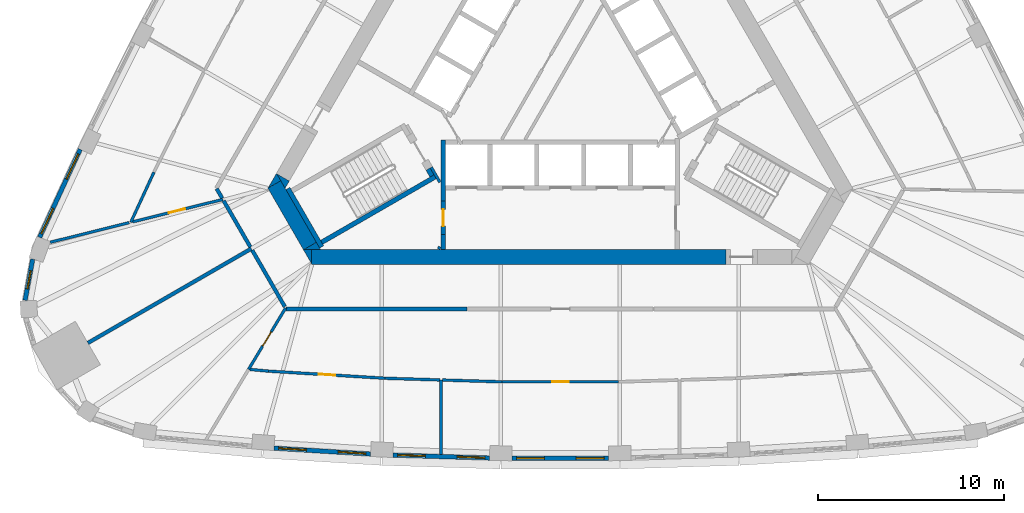
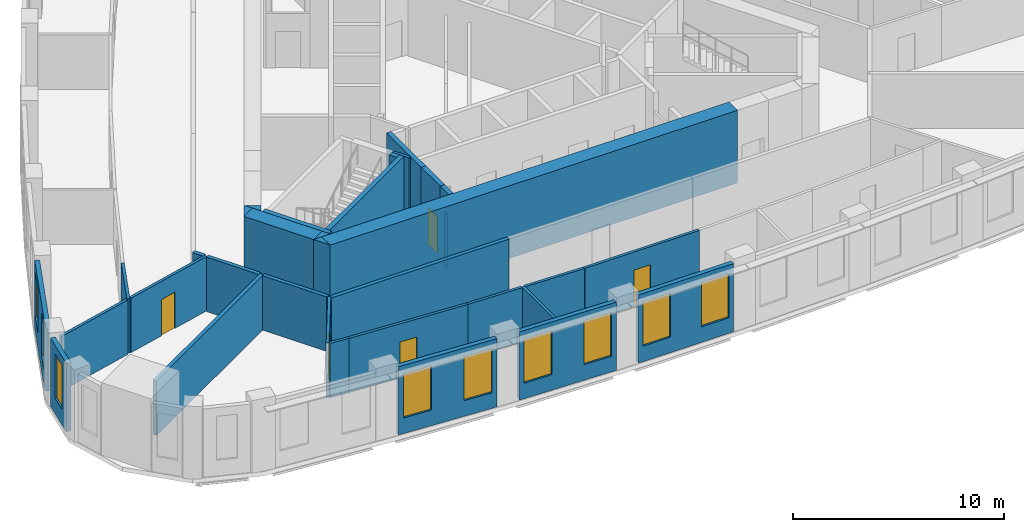
# One storey, part 3 of 10: 34 walls, 9 windows, 5 doors, 14 openings.
"""IFC4 building model written with IfcOpenShell, lengths in metres."""

from ifc_helpers import new_model, si_unit, direction, frame, frame_2d, origin, place, context, subcontext, project, spatial, polyline, rectangle, outline, extrude, material, layer, layer_set, type_object, element, fill, save


model = new_model("IFC4")

# Units and contexts
model_context = context("Model", 3, precision=1e-05, world=origin(), true_north=direction((0.0, 1.0)))
body_context = subcontext(model_context, "Body", "Model", "MODEL_VIEW")
ifc_project = project(units=[si_unit("LENGTHUNIT", "METRE"), si_unit("AREAUNIT", "SQUARE_METRE"), si_unit("VOLUMEUNIT", "CUBIC_METRE"), si_unit("PLANEANGLEUNIT", "RADIAN"), si_unit("MASSUNIT", "GRAM", prefix="KILO")], contexts=[model_context])

# Site, building, storey
site_placement = place(None, origin())
site = spatial("IfcSite", under=ifc_project, at=site_placement, CompositionType="ELEMENT")
building_placement = place(site_placement, origin())
building = spatial("IfcBuilding", under=site, at=building_placement, Name="Mestral Congress Tower", CompositionType="ELEMENT")
storey_placement = place(building_placement, frame((0.0, 0.0, 150.0)))
storey = spatial("IfcBuildingStorey", under=building, at=storey_placement, Name="L35", CompositionType="ELEMENT", Elevation=150.0)

# Walls
ifc_material_1 = material(Name="Fire-rated board partition")
ifc_layer_1 = layer(ifc_material_1, 0.14990234375)
ifc_layer_set_1 = layer_set([ifc_layer_1], Name="Fire-rated board partition")
wall_type_1 = type_object("IfcWallType", Name="Core partition 150", PredefinedType="PARTITIONING", material=ifc_layer_set_1)
wall_1_placement = place(storey_placement, frame((-6.552978515625, -9.6181640625, 0.0), z_axis=(0.0, 0.0, 1.0), x_axis=(0.499915430684, 0.866074224396, 0.0)))
element("IfcWall", 1, at=wall_1_placement, inside=storey, type_object=wall_type_1, Name="L35 core wall", PredefinedType="PARTITIONING", context=body_context, shape_type="SweptSolid", body=[
    extrude(rectangle(XDim=0.14599609375, YDim=0.14990234375, at=frame_2d((0.072998046875, 0.0))), origin(), (0.0, 0.0, 1.0), 3.14990234375),
])
ifc_material_2 = material(Name="Concrete C60/75", Category="concrete")
ifc_layer_2 = layer(ifc_material_2, 0.800048828125)
ifc_layer_set_2 = layer_set([ifc_layer_2], Name="Concrete C60/75")
wall_type_2 = type_object("IfcWallType", Name="Core wall RC 800", PredefinedType="SOLIDWALL", material=ifc_layer_set_2)
wall_2_placement = place(storey_placement, frame((-13.377685546875, -10.050048828125, 0.0), z_axis=(0.0, 0.0, 1.0), x_axis=(1.0, 0.0, 0.0)))
element("IfcWall", 2, at=wall_2_placement, inside=storey, type_object=wall_type_2, Name="L35 core wall", PredefinedType="SOLIDWALL", context=body_context, shape_type="SweptSolid", body=[
    extrude(rectangle(XDim=22.281982421875, YDim=0.800048828125, at=frame_2d((11.14111328125, 0.0))), origin(), (0.0, 0.0, 1.0), 4.199951171875),
])
placement = place(storey_placement, origin())
element("IfcWall", 3, at=placement, inside=storey, type_object=wall_type_2, Name="L35 core wall", PredefinedType="SOLIDWALL", context=body_context, shape_type="SweptSolid", body=[
    extrude(outline(polyline([(-13.82763671875, -9.64990234375), (-13.379638671875, -9.64990234375), (-13.379638671875, -10.42578125), (-13.82763671875, -9.64990234375)])), origin(), (0.0, 0.0, 1.0), 4.199951171875),
])
wall_4_placement = place(storey_placement, frame((-15.38720703125, -6.148193359375, 0.0), z_axis=(0.0, 0.0, 1.0), x_axis=(0.499984020225, -0.866034629516, 0.0)))
element("IfcWall", 4, at=wall_4_placement, inside=storey, type_object=wall_type_2, Name="L35 core wall", PredefinedType="SOLIDWALL", context=body_context, shape_type="SweptSolid", body=[
    extrude(rectangle(XDim=3.824462890625, YDim=0.800048828125, at=frame_2d((1.912109375, 0.0))), origin(), (0.0, 0.0, 1.0), 4.199951171875),
])
element("IfcWall", 5, at=placement, inside=storey, type_object=wall_type_2, Name="L35 core wall", PredefinedType="SOLIDWALL", context=body_context, shape_type="SweptSolid", body=[
    extrude(outline(polyline([(-15.0419921875, -5.946533203125), (-15.728759765625, -6.343017578125), (-15.27099609375, -5.5498046875), (-15.0419921875, -5.946533203125)])), origin(), (0.0, 0.0, 1.0), 4.199951171875),
])
element("IfcWall", 6, at=placement, inside=storey, type_object=wall_type_2, Name="L35 core wall", PredefinedType="SOLIDWALL", context=body_context, shape_type="SweptSolid", body=[
    extrude(outline(polyline([(-12.90380859375, -9.64990234375), (-13.7998046875, -9.64990234375), (-13.127685546875, -9.261962890625), (-12.90380859375, -9.64990234375)])), origin(), (0.0, 0.0, 1.0), 4.199951171875),
])
element("IfcWall", 7, at=placement, inside=storey, type_object=wall_type_2, Name="L35 core wall", PredefinedType="SOLIDWALL", context=body_context, shape_type="SweptSolid", body=[
    extrude(outline(polyline([(-14.80908203125, -6.35009765625), (-15.2568359375, -5.57421875), (-14.5849609375, -5.9619140625), (-14.80908203125, -6.35009765625)])), origin(), (0.0, 0.0, 1.0), 4.199951171875),
])

# Wall, openings, windows
ifc_material_3 = material(Name="Precast concrete C40/50 with limestone facing", Category="masonry")
ifc_layer_3 = layer(ifc_material_3, 0.239990234375)
ifc_layer_set_3 = layer_set([ifc_layer_3], Name="Precast concrete C40/50 with limestone facing")
wall_type_3 = type_object("IfcWallType", Name="Facade stone wall 240", PredefinedType="SOLIDWALL", material=ifc_layer_set_3)
wall_8_placement = place(storey_placement, frame((-15.404541015625, -20.33837890625, 0.0), z_axis=(0.0, 0.0, 1.0), x_axis=(0.998135294646, -0.061040425794, 0.0)))
wall_8 = element("IfcWall", 8, at=wall_8_placement, inside=storey, type_object=wall_type_3, Name="Facade wall F0-01", PredefinedType="SOLIDWALL", context=body_context, shape_type="SweptSolid", body=[
    extrude(rectangle(XDim=5.20361328125, YDim=0.239990234375, at=frame_2d((2.601806640625, 0.0))), origin(), (0.0, 0.0, 1.0), 3.949951171875),
])
opening_1_placement = place(wall_8_placement, frame((0.248291015625, 0.0, 0.89990234375)))
opening_1 = element("IfcOpeningElement", 9, at=opening_1_placement, cuts=wall_8, Name="Opening W4", PredefinedType="OPENING", context=body_context, shape_type="SweptSolid", body=[
    extrude(rectangle(XDim=1.5, YDim=2.550048828125, at=frame_2d((0.75, 1.27490234375))), frame((0.0, 0.1298828125, 0.0), z_axis=(0.0, -1.0, 0.0), x_axis=(1.0, 0.0, 0.0)), (0.0, 0.0, 1.0), 0.260009765625),
])
opening_2_placement = place(wall_8_placement, frame((3.455078125, 0.0, 0.89990234375)))
opening_2 = element("IfcOpeningElement", 10, at=opening_2_placement, cuts=wall_8, Name="Opening W4", PredefinedType="OPENING", context=body_context, shape_type="SweptSolid", body=[
    extrude(rectangle(XDim=1.5, YDim=2.550048828125, at=frame_2d((0.75, 1.27490234375))), frame((0.0, 0.1298828125, 0.0), z_axis=(0.0, -1.0, 0.0), x_axis=(1.0, 0.0, 0.0)), (0.0, 0.0, 1.0), 0.260009765625),
])
ifc_material_4 = material(Name="Clear low-emissivity double glazing", Category="glass")
window_type_1 = type_object("IfcWindowType", Name="Facade punched window 1500 x 2550 sill 900", PartitioningType="SINGLE_PANEL", PredefinedType="WINDOW", material=ifc_material_4)
window_1_placement = place(opening_1_placement, origin())
window_1 = element("IfcWindow", 11, at=window_1_placement, inside=storey, type_object=window_type_1, Name="Window F0-01a", OverallHeight=2.550048828125, OverallWidth=1.5, PartitioningType="SINGLE_PANEL", PredefinedType="WINDOW", context=body_context, shape_type="SweptSolid", body=[
    extrude(rectangle(XDim=1.5, YDim=2.550048828125, at=frame_2d((0.75, 1.27490234375))), frame((0.0, 0.0400390625, 0.0), z_axis=(0.0, -1.0, 0.0), x_axis=(1.0, 0.0, 0.0)), (0.0, 0.0, 1.0), 0.06005859375),
])
fill(opening_1, window_1)
window_2_placement = place(opening_2_placement, origin())
window_2 = element("IfcWindow", 12, at=window_2_placement, inside=storey, type_object=window_type_1, Name="Window F0-01b", OverallHeight=2.550048828125, OverallWidth=1.5, PartitioningType="SINGLE_PANEL", PredefinedType="WINDOW", context=body_context, shape_type="SweptSolid", body=[
    extrude(rectangle(XDim=1.5, YDim=2.550048828125, at=frame_2d((0.75, 1.27490234375))), frame((0.0, 0.0400390625, 0.0), z_axis=(0.0, -1.0, 0.0), x_axis=(1.0, 0.0, 0.0)), (0.0, 0.0, 1.0), 0.06005859375),
])
fill(opening_2, window_2)

wall_9_placement = place(storey_placement, frame((-9.00732421875, -20.7109375, 0.0), z_axis=(0.0, 0.0, 1.0), x_axis=(0.999533441983, -0.030543384845, 0.0)))
wall_9 = element("IfcWall", 13, at=wall_9_placement, inside=storey, type_object=wall_type_3, Name="Facade wall F0-02", PredefinedType="SOLIDWALL", context=body_context, shape_type="SweptSolid", body=[
    extrude(rectangle(XDim=5.20361328125, YDim=0.239990234375, at=frame_2d((2.601806640625, 0.0))), origin(), (0.0, 0.0, 1.0), 3.949951171875),
])
opening_3_placement = place(wall_9_placement, frame((0.248291015625, 0.0, 0.89990234375)))
opening_3 = element("IfcOpeningElement", 14, at=opening_3_placement, cuts=wall_9, Name="Opening W4", PredefinedType="OPENING", context=body_context, shape_type="SweptSolid", body=[
    extrude(rectangle(XDim=1.5, YDim=2.550048828125, at=frame_2d((0.75, 1.27490234375))), frame((0.0, 0.1298828125, 0.0), z_axis=(0.0, -1.0, 0.0), x_axis=(1.0, 0.0, 0.0)), (0.0, 0.0, 1.0), 0.260009765625),
])
opening_4_placement = place(wall_9_placement, frame((3.455078125, 0.0, 0.89990234375)))
opening_4 = element("IfcOpeningElement", 15, at=opening_4_placement, cuts=wall_9, Name="Opening W4", PredefinedType="OPENING", context=body_context, shape_type="SweptSolid", body=[
    extrude(rectangle(XDim=1.5, YDim=2.550048828125, at=frame_2d((0.75, 1.27490234375))), frame((0.0, 0.1298828125, 0.0), z_axis=(0.0, -1.0, 0.0), x_axis=(1.0, 0.0, 0.0)), (0.0, 0.0, 1.0), 0.260009765625),
])
window_3_placement = place(opening_3_placement, origin())
window_3 = element("IfcWindow", 16, at=window_3_placement, inside=storey, type_object=window_type_1, Name="Window F0-02a", OverallHeight=2.550048828125, OverallWidth=1.5, PartitioningType="SINGLE_PANEL", PredefinedType="WINDOW", context=body_context, shape_type="SweptSolid", body=[
    extrude(rectangle(XDim=1.5, YDim=2.550048828125, at=frame_2d((0.75, 1.27490234375))), frame((0.0, 0.0400390625, 0.0), z_axis=(0.0, -1.0, 0.0), x_axis=(1.0, 0.0, 0.0)), (0.0, 0.0, 1.0), 0.06005859375),
])
fill(opening_3, window_3)
window_4_placement = place(opening_4_placement, origin())
window_4 = element("IfcWindow", 17, at=window_4_placement, inside=storey, type_object=window_type_1, Name="Window F0-02b", OverallHeight=2.550048828125, OverallWidth=1.5, PartitioningType="SINGLE_PANEL", PredefinedType="WINDOW", context=body_context, shape_type="SweptSolid", body=[
    extrude(rectangle(XDim=1.5, YDim=2.550048828125, at=frame_2d((0.75, 1.27490234375))), frame((0.0, 0.0400390625, 0.0), z_axis=(0.0, -1.0, 0.0), x_axis=(1.0, 0.0, 0.0)), (0.0, 0.0, 1.0), 0.06005859375),
])
fill(opening_4, window_4)

wall_10_placement = place(storey_placement, frame((-2.601806640625, -20.88818359375, 0.0), z_axis=(0.0, 0.0, 1.0), x_axis=(1.0, 0.0, 0.0)))
wall_10 = element("IfcWall", 18, at=wall_10_placement, inside=storey, type_object=wall_type_3, Name="Facade wall F0-03", PredefinedType="SOLIDWALL", context=body_context, shape_type="SweptSolid", body=[
    extrude(rectangle(XDim=5.20361328125, YDim=0.239990234375, at=frame_2d((2.601806640625, 0.0))), origin(), (0.0, 0.0, 1.0), 3.949951171875),
])
opening_5_placement = place(wall_10_placement, frame((0.248291015625, 0.0, 0.89990234375)))
opening_5 = element("IfcOpeningElement", 19, at=opening_5_placement, cuts=wall_10, Name="Opening W4", PredefinedType="OPENING", context=body_context, shape_type="SweptSolid", body=[
    extrude(rectangle(XDim=1.5, YDim=2.550048828125, at=frame_2d((0.75, 1.27490234375))), frame((0.0, 0.1298828125, 0.0), z_axis=(0.0, -1.0, 0.0), x_axis=(1.0, 0.0, 0.0)), (0.0, 0.0, 1.0), 0.260009765625),
])
opening_6_placement = place(wall_10_placement, frame((3.455078125, 0.0, 0.89990234375)))
opening_6 = element("IfcOpeningElement", 20, at=opening_6_placement, cuts=wall_10, Name="Opening W4", PredefinedType="OPENING", context=body_context, shape_type="SweptSolid", body=[
    extrude(rectangle(XDim=1.5, YDim=2.550048828125, at=frame_2d((0.75, 1.27490234375))), frame((0.0, 0.1298828125, 0.0), z_axis=(0.0, -1.0, 0.0), x_axis=(1.0, 0.0, 0.0)), (0.0, 0.0, 1.0), 0.260009765625),
])
window_5_placement = place(opening_5_placement, origin())
window_5 = element("IfcWindow", 21, at=window_5_placement, inside=storey, type_object=window_type_1, Name="Window F0-03a", OverallHeight=2.550048828125, OverallWidth=1.5, PartitioningType="SINGLE_PANEL", PredefinedType="WINDOW", context=body_context, shape_type="SweptSolid", body=[
    extrude(rectangle(XDim=1.5, YDim=2.550048828125, at=frame_2d((0.75, 1.27490234375))), frame((0.0, 0.0400390625, 0.0), z_axis=(0.0, -1.0, 0.0), x_axis=(1.0, 0.0, 0.0)), (0.0, 0.0, 1.0), 0.06005859375),
])
fill(opening_5, window_5)
window_6_placement = place(opening_6_placement, origin())
window_6 = element("IfcWindow", 22, at=window_6_placement, inside=storey, type_object=window_type_1, Name="Window F0-03b", OverallHeight=2.550048828125, OverallWidth=1.5, PartitioningType="SINGLE_PANEL", PredefinedType="WINDOW", context=body_context, shape_type="SweptSolid", body=[
    extrude(rectangle(XDim=1.5, YDim=2.550048828125, at=frame_2d((0.75, 1.27490234375))), frame((0.0, 0.0400390625, 0.0), z_axis=(0.0, -1.0, 0.0), x_axis=(1.0, 0.0, 0.0)), (0.0, 0.0, 1.0), 0.06005859375),
])
fill(opening_6, window_6)

wall_11_placement = place(storey_placement, frame((-25.8369140625, -4.2578125, 0.0), z_axis=(0.0, 0.0, 1.0), x_axis=(-0.418722559465, -0.908114209885, 0.0)))
wall_11 = element("IfcWall", 23, at=wall_11_placement, inside=storey, type_object=wall_type_3, Name="Facade wall F2-06", PredefinedType="SOLIDWALL", context=body_context, shape_type="SweptSolid", body=[
    extrude(rectangle(XDim=5.213134765625, YDim=0.239990234375, at=frame_2d((2.6064453125, 0.0))), origin(), (0.0, 0.0, 1.0), 3.949951171875),
])
opening_7_placement = place(wall_11_placement, frame((0.2607421875, 0.0, 0.89990234375)))
opening_7 = element("IfcOpeningElement", 24, at=opening_7_placement, cuts=wall_11, Name="Opening W4", PredefinedType="OPENING", context=body_context, shape_type="SweptSolid", body=[
    extrude(rectangle(XDim=1.5, YDim=2.550048828125, at=frame_2d((0.75, 1.27490234375))), frame((0.0, 0.1298828125, 0.0), z_axis=(0.0, -1.0, 0.0), x_axis=(1.0, 0.0, 0.0)), (0.0, 0.0, 1.0), 0.260009765625),
])
opening_8_placement = place(wall_11_placement, frame((3.492431640625, 0.0, 0.89990234375)))
opening_8 = element("IfcOpeningElement", 25, at=opening_8_placement, cuts=wall_11, Name="Opening W4", PredefinedType="OPENING", context=body_context, shape_type="SweptSolid", body=[
    extrude(rectangle(XDim=1.5, YDim=2.550048828125, at=frame_2d((0.75, 1.27490234375))), frame((0.0, 0.1298828125, 0.0), z_axis=(0.0, -1.0, 0.0), x_axis=(1.0, 0.0, 0.0)), (0.0, 0.0, 1.0), 0.260009765625),
])
window_7_placement = place(opening_7_placement, origin())
window_7 = element("IfcWindow", 26, at=window_7_placement, inside=storey, type_object=window_type_1, Name="Window F2-06a", OverallHeight=2.550048828125, OverallWidth=1.5, PartitioningType="SINGLE_PANEL", PredefinedType="WINDOW", context=body_context, shape_type="SweptSolid", body=[
    extrude(rectangle(XDim=1.5, YDim=2.550048828125, at=frame_2d((0.75, 1.27490234375))), frame((0.0, 0.0400390625, 0.0), z_axis=(0.0, -1.0, 0.0), x_axis=(1.0, 0.0, 0.0)), (0.0, 0.0, 1.0), 0.06005859375),
])
fill(opening_7, window_7)
window_8_placement = place(opening_8_placement, origin())
window_8 = element("IfcWindow", 27, at=window_8_placement, inside=storey, type_object=window_type_1, Name="Window F2-06b", OverallHeight=2.550048828125, OverallWidth=1.5, PartitioningType="SINGLE_PANEL", PredefinedType="WINDOW", context=body_context, shape_type="SweptSolid", body=[
    extrude(rectangle(XDim=1.5, YDim=2.550048828125, at=frame_2d((0.75, 1.27490234375))), frame((0.0, 0.0400390625, 0.0), z_axis=(0.0, -1.0, 0.0), x_axis=(1.0, 0.0, 0.0)), (0.0, 0.0, 1.0), 0.06005859375),
])
fill(opening_8, window_8)

# Wall, opening, window
wall_12_placement = place(storey_placement, frame((-28.392578125, -10.166748046875, 0.0), z_axis=(0.0, 0.0, 1.0), x_axis=(-0.180737189259, -0.983531427265, 0.0)))
wall_12 = element("IfcWall", 28, at=wall_12_placement, inside=storey, type_object=wall_type_3, Name="Facade wall K2-0", PredefinedType="SOLIDWALL", context=body_context, shape_type="SweptSolid", body=[
    extrude(rectangle(XDim=2.25048828125, YDim=0.239990234375, at=frame_2d((1.125244140625, 0.0))), origin(), (0.0, 0.0, 1.0), 3.949951171875),
])
opening_9_placement = place(wall_12_placement, frame((0.625244140625, 0.0, 0.89990234375)))
opening_9 = element("IfcOpeningElement", 29, at=opening_9_placement, cuts=wall_12, Name="Opening W5", PredefinedType="OPENING", context=body_context, shape_type="SweptSolid", body=[
    extrude(rectangle(XDim=1.0, YDim=2.550048828125, at=frame_2d((0.5, 1.27490234375))), frame((0.0, 0.1298828125, 0.0), z_axis=(0.0, -1.0, 0.0), x_axis=(1.0, 0.0, 0.0)), (0.0, 0.0, 1.0), 0.260009765625),
])
window_type_2 = type_object("IfcWindowType", Name="Facade punched window 1000 x 2550 sill 900", PartitioningType="SINGLE_PANEL", PredefinedType="WINDOW", material=ifc_material_4)
window_9_placement = place(opening_9_placement, origin())
window_9 = element("IfcWindow", 30, at=window_9_placement, inside=storey, type_object=window_type_2, Name="Window K2-0", OverallHeight=2.550048828125, OverallWidth=1.0, PartitioningType="SINGLE_PANEL", PredefinedType="WINDOW", context=body_context, shape_type="SweptSolid", body=[
    extrude(rectangle(XDim=1.0, YDim=2.550048828125, at=frame_2d((0.5, 1.27490234375))), frame((0.0, 0.0400390625, 0.0), z_axis=(0.0, -1.0, 0.0), x_axis=(1.0, 0.0, 0.0)), (0.0, 0.0, 1.0), 0.06005859375),
])
fill(opening_9, window_9)

# Wall, opening, door
ifc_material_5 = material(Name="Plasterboard partition on steel studs", Category="steel")
ifc_layer_4 = layer(ifc_material_5, 0.14990234375)
ifc_layer_set_4 = layer_set([ifc_layer_4], Name="Plasterboard partition on steel studs")
wall_type_4 = type_object("IfcWallType", Name="Office partition 150", PredefinedType="PARTITIONING", material=ifc_layer_set_4)
wall_13_placement = place(storey_placement, frame((-16.77490234375, -16.097412109375, 0.0), z_axis=(0.0, 0.0, 1.0), x_axis=(0.516793803756, 0.856109902057, 0.0)))
wall_13 = element("IfcWall", 31, at=wall_13_placement, inside=storey, type_object=wall_type_4, Name="Partition", PredefinedType="PARTITIONING", context=body_context, shape_type="SweptSolid", body=[
    extrude(rectangle(XDim=3.85595703125, YDim=0.14990234375, at=frame_2d((1.927978515625, 0.0))), origin(), (0.0, 0.0, 1.0), 3.14990234375),
])
opening_10_placement = place(wall_13_placement, frame((1.455810546875, 0.0, 0.0)))
opening_10 = element("IfcOpeningElement", 32, at=opening_10_placement, cuts=wall_13, Name="Opening O01-001", PredefinedType="OPENING", context=body_context, shape_type="SweptSolid", body=[
    extrude(rectangle(XDim=0.89990234375, YDim=2.10009765625, at=frame_2d((0.449951171875, 1.050048828125))), frame((0.0, 0.0849609375, 0.0), z_axis=(0.0, -1.0, 0.0), x_axis=(1.0, 0.0, 0.0)), (0.0, 0.0, 1.0), 0.169921875),
])
ifc_material_6 = material(Name="Timber door set", Category="wood")
door_type_1 = type_object("IfcDoorType", Name="Office door 900x2100", OperationType="SINGLE_SWING_LEFT", PredefinedType="DOOR", material=ifc_material_6)
door_1_placement = place(opening_10_placement, origin())
door_1 = element("IfcDoor", 33, at=door_1_placement, inside=storey, type_object=door_type_1, Name="Door O01-001", OperationType="SINGLE_SWING_LEFT", OverallHeight=2.10009765625, OverallWidth=0.89990234375, PredefinedType="DOOR", context=body_context, shape_type="SweptSolid", body=[
    extrude(rectangle(XDim=0.89990234375, YDim=2.10009765625, at=frame_2d((0.449951171875, 1.050048828125))), frame((0.0, 0.02490234375, 0.0), z_axis=(0.0, -1.0, 0.0), x_axis=(1.0, 0.0, 0.0)), (0.0, 0.0, 1.0), 0.050048828125),
])
fill(opening_10, door_1)

# Walls
wall_14_placement = place(storey_placement, frame((-6.412109375, -16.668212890625, 0.0), z_axis=(0.0, 0.0, 1.0), x_axis=(0.0, -1.0, 0.0)))
element("IfcWall", 34, at=wall_14_placement, inside=storey, type_object=wall_type_4, Name="Partition", PredefinedType="PARTITIONING", context=body_context, shape_type="SweptSolid", body=[
    extrude(rectangle(XDim=4.001953125, YDim=0.14990234375, at=frame_2d((2.0009765625, 0.0))), origin(), (0.0, 0.0, 1.0), 3.14990234375),
])
wall_15_placement = place(storey_placement, frame((-16.689697265625, -16.1015625, 0.0), z_axis=(0.0, 0.0, 1.0), x_axis=(0.995818997537, -0.091348366946, 0.0)))
element("IfcWall", 35, at=wall_15_placement, inside=storey, type_object=wall_type_4, Name="Partition", PredefinedType="PARTITIONING", context=body_context, shape_type="SweptSolid", body=[
    extrude(rectangle(XDim=1.002197265625, YDim=0.14990234375, at=frame_2d((0.5009765625, 0.0))), origin(), (0.0, 0.0, 1.0), 3.14990234375),
])

# Wall, opening, door
wall_16_placement = place(storey_placement, frame((-9.4208984375, -16.576416015625, 0.0), z_axis=(0.0, 0.0, 1.0), x_axis=(-0.998137075468, 0.061011298754, 0.0)))
wall_16 = element("IfcWall", 36, at=wall_16_placement, inside=storey, type_object=wall_type_4, Name="Partition", PredefinedType="PARTITIONING", context=body_context, shape_type="SweptSolid", body=[
    extrude(rectangle(XDim=6.282470703125, YDim=0.14990234375, at=frame_2d((3.14111328125, 0.0))), origin(), (0.0, 0.0, 1.0), 3.14990234375),
])
opening_11_placement = place(wall_16_placement, frame((2.6826171875, 0.0, 0.0)))
opening_11 = element("IfcOpeningElement", 37, at=opening_11_placement, cuts=wall_16, Name="Opening O01-002", PredefinedType="OPENING", context=body_context, shape_type="SweptSolid", body=[
    extrude(rectangle(XDim=0.89990234375, YDim=2.10009765625, at=frame_2d((0.449951171875, 1.050048828125))), frame((0.0, 0.0849609375, 0.0), z_axis=(0.0, -1.0, 0.0), x_axis=(1.0, 0.0, 0.0)), (0.0, 0.0, 1.0), 0.169921875),
])
door_2_placement = place(opening_11_placement, origin())
door_2 = element("IfcDoor", 38, at=door_2_placement, inside=storey, type_object=door_type_1, Name="Door O01-002", OperationType="SINGLE_SWING_LEFT", OverallHeight=2.10009765625, OverallWidth=0.89990234375, PredefinedType="DOOR", context=body_context, shape_type="SweptSolid", body=[
    extrude(rectangle(XDim=0.89990234375, YDim=2.10009765625, at=frame_2d((0.449951171875, 1.050048828125))), frame((0.0, 0.02490234375, 0.0), z_axis=(0.0, -1.0, 0.0), x_axis=(1.0, 0.0, 0.0)), (0.0, 0.0, 1.0), 0.050048828125),
])
fill(opening_11, door_2)

# Walls
wall_17_placement = place(storey_placement, frame((-9.4208984375, -16.576416015625, 0.0), z_axis=(0.0, 0.0, 1.0), x_axis=(0.999533978083, -0.030525835896, 0.0)))
element("IfcWall", 39, at=wall_17_placement, inside=storey, type_object=wall_type_4, Name="Partition", PredefinedType="PARTITIONING", context=body_context, shape_type="SweptSolid", body=[
    extrude(rectangle(XDim=2.935302734375, YDim=0.14990234375, at=frame_2d((1.4677734375, 0.0))), origin(), (0.0, 0.0, 1.0), 3.14990234375),
])
wall_18_placement = place(storey_placement, frame((-6.3369140625, -16.670654296875, 0.0), z_axis=(0.0, 0.0, 1.0), x_axis=(0.999533369646, -0.030545751995, 0.0)))
element("IfcWall", 40, at=wall_18_placement, inside=storey, type_object=wall_type_4, Name="Partition", PredefinedType="PARTITIONING", context=body_context, shape_type="SweptSolid", body=[
    extrude(rectangle(XDim=3.197021484375, YDim=0.14990234375, at=frame_2d((1.5986328125, 0.0))), origin(), (0.0, 0.0, 1.0), 3.14990234375),
])

# Wall, opening, door
wall_19_placement = place(storey_placement, frame((3.141357421875, -16.768310546875, 0.0), z_axis=(0.0, 0.0, 1.0), x_axis=(-1.0, 0.0, 0.0)))
wall_19 = element("IfcWall", 41, at=wall_19_placement, inside=storey, type_object=wall_type_4, Name="Partition", PredefinedType="PARTITIONING", context=body_context, shape_type="SweptSolid", body=[
    extrude(rectangle(XDim=6.28271484375, YDim=0.14990234375, at=frame_2d((3.141357421875, 0.0))), origin(), (0.0, 0.0, 1.0), 3.14990234375),
])
opening_12_placement = place(wall_19_placement, frame((2.6826171875, 0.0, 0.0)))
opening_12 = element("IfcOpeningElement", 42, at=opening_12_placement, cuts=wall_19, Name="Opening O01-003", PredefinedType="OPENING", context=body_context, shape_type="SweptSolid", body=[
    extrude(rectangle(XDim=0.89990234375, YDim=2.10009765625, at=frame_2d((0.449951171875, 1.050048828125))), frame((0.0, 0.0849609375, 0.0), z_axis=(0.0, -1.0, 0.0), x_axis=(1.0, 0.0, 0.0)), (0.0, 0.0, 1.0), 0.169921875),
])
door_3_placement = place(opening_12_placement, origin())
door_3 = element("IfcDoor", 43, at=door_3_placement, inside=storey, type_object=door_type_1, Name="Door O01-003", OperationType="SINGLE_SWING_LEFT", OverallHeight=2.10009765625, OverallWidth=0.89990234375, PredefinedType="DOOR", context=body_context, shape_type="SweptSolid", body=[
    extrude(rectangle(XDim=0.89990234375, YDim=2.10009765625, at=frame_2d((0.449951171875, 1.050048828125))), frame((0.0, 0.02490234375, 0.0), z_axis=(0.0, -1.0, 0.0), x_axis=(1.0, 0.0, 0.0)), (0.0, 0.0, 1.0), 0.050048828125),
])
fill(opening_12, door_3)

# Walls
wall_20_placement = place(storey_placement, frame((-21.869384765625, -5.492919921875, 0.0), z_axis=(0.0, 0.0, 1.0), x_axis=(-0.418791486232, -0.908082425256, 0.0)))
element("IfcWall", 44, at=wall_20_placement, inside=storey, type_object=wall_type_4, Name="Partition", PredefinedType="PARTITIONING", context=body_context, shape_type="SweptSolid", body=[
    extrude(rectangle(XDim=2.9609375, YDim=0.14990234375, at=frame_2d((1.48046875, 0.0))), origin(), (0.0, 0.0, 1.0), 3.14990234375),
])
wall_21_placement = place(storey_placement, frame((-23.20263671875, -8.204833984375, 0.0), z_axis=(0.0, 0.0, 1.0), x_axis=(-0.970525493326, -0.240998478843, 0.0)))
element("IfcWall", 45, at=wall_21_placement, inside=storey, type_object=wall_type_4, Name="Partition", PredefinedType="PARTITIONING", context=body_context, shape_type="SweptSolid", body=[
    extrude(rectangle(XDim=4.373291015625, YDim=0.14990234375, at=frame_2d((2.1865234375, 0.0))), origin(), (0.0, 0.0, 1.0), 3.14990234375),
])

# Wall, opening, door
wall_22_placement = place(storey_placement, frame((-18.156494140625, -6.951904296875, 0.0), z_axis=(0.0, 0.0, 1.0), x_axis=(-0.97052275783, -0.241009494697, 0.0)))
wall_22 = element("IfcWall", 46, at=wall_22_placement, inside=storey, type_object=wall_type_4, Name="Partition", PredefinedType="PARTITIONING", context=body_context, shape_type="SweptSolid", body=[
    extrude(rectangle(XDim=5.00732421875, YDim=0.14990234375, at=frame_2d((2.503662109375, 0.0))), origin(), (0.0, 0.0, 1.0), 3.14990234375),
])
opening_13_placement = place(wall_22_placement, frame((2.10009765625, 0.0, 0.0)))
opening_13 = element("IfcOpeningElement", 47, at=opening_13_placement, cuts=wall_22, Name="Opening O01-018", PredefinedType="OPENING", context=body_context, shape_type="SweptSolid", body=[
    extrude(rectangle(XDim=0.89990234375, YDim=2.10009765625, at=frame_2d((0.449951171875, 1.050048828125))), frame((0.0, 0.0849609375, 0.0), z_axis=(0.0, -1.0, 0.0), x_axis=(1.0, 0.0, 0.0)), (0.0, 0.0, 1.0), 0.169921875),
])
door_4_placement = place(opening_13_placement, origin())
door_4 = element("IfcDoor", 48, at=door_4_placement, inside=storey, type_object=door_type_1, Name="Door O01-018", OperationType="SINGLE_SWING_RIGHT", OverallHeight=2.10009765625, OverallWidth=0.89990234375, PredefinedType="DOOR", context=body_context, shape_type="SweptSolid", body=[
    extrude(rectangle(XDim=0.89990234375, YDim=2.10009765625, at=frame_2d((0.449951171875, 1.050048828125))), frame((0.0, 0.02490234375, 0.0), z_axis=(0.0, -1.0, 0.0), x_axis=(1.0, 0.0, 0.0)), (0.0, 0.0, 1.0), 0.050048828125),
])
fill(opening_13, door_4)

# Walls
ifc_material_7 = material(Name="Dense masonry wall, plastered", Category="masonry")
ifc_layer_5 = layer(ifc_material_7, 0.199951171875)
ifc_layer_set_5 = layer_set([ifc_layer_5], Name="Dense masonry wall, plastered")
wall_type_5 = type_object("IfcWallType", Name="Office tenancy wall 200", PredefinedType="PARTITIONING", material=ifc_layer_set_5)
wall_23_placement = place(storey_placement, frame((-25.42138671875, -14.677001953125, 0.0), z_axis=(0.0, 0.0, 1.0), x_axis=(0.866031435434, 0.499989552732, 0.0)))
element("IfcWall", 49, at=wall_23_placement, inside=storey, type_object=wall_type_5, Name="Tenancy wall", PredefinedType="PARTITIONING", context=body_context, shape_type="SweptSolid", body=[
    extrude(rectangle(XDim=10.154052734375, YDim=0.199951171875, at=frame_2d((5.0771484375, 0.0))), origin(), (0.0, 0.0, 1.0), 3.14990234375),
])
wall_24_placement = place(storey_placement, frame((-16.57763671875, -9.6865234375, 0.0), z_axis=(0.0, 0.0, 1.0), x_axis=(0.499981686864, -0.86603597662, 0.0)))
element("IfcWall", 50, at=wall_24_placement, inside=storey, type_object=wall_type_5, Name="Tenancy wall", PredefinedType="PARTITIONING", context=body_context, shape_type="SweptSolid", body=[
    extrude(rectangle(XDim=3.505615234375, YDim=0.199951171875, at=frame_2d((1.7529296875, 0.0))), origin(), (0.0, 0.0, 1.0), 3.14990234375),
])
wall_25_placement = place(storey_placement, frame((-14.751220703125, -12.85009765625, 0.0), z_axis=(0.0, 0.0, 1.0), x_axis=(1.0, 0.0, 0.0)))
element("IfcWall", 51, at=wall_25_placement, inside=storey, type_object=wall_type_5, Name="Tenancy wall", PredefinedType="PARTITIONING", context=body_context, shape_type="SweptSolid", body=[
    extrude(rectangle(XDim=9.72119140625, YDim=0.199951171875, at=frame_2d((4.860595703125, 0.0))), origin(), (0.0, 0.0, 1.0), 3.14990234375),
])
wall_26_placement = place(storey_placement, frame((-18.489013671875, -6.3759765625, 0.0), z_axis=(0.0, 0.0, 1.0), x_axis=(0.499986503906, -0.866033195618, 0.0)))
element("IfcWall", 52, at=wall_26_placement, inside=storey, type_object=wall_type_5, Name="Tenancy wall", PredefinedType="PARTITIONING", context=body_context, shape_type="SweptSolid", body=[
    extrude(rectangle(XDim=0.5869140625, YDim=0.199951171875, at=frame_2d((0.29345703125, 0.0))), origin(), (0.0, 0.0, 1.0), 3.14990234375),
])
wall_27_placement = place(storey_placement, frame((-18.11767578125, -7.01953125, 0.0), z_axis=(0.0, 0.0, 1.0), x_axis=(0.500023335103, -0.866011930837, 0.0)))
element("IfcWall", 53, at=wall_27_placement, inside=storey, type_object=wall_type_5, Name="Tenancy wall", PredefinedType="PARTITIONING", context=body_context, shape_type="SweptSolid", body=[
    extrude(rectangle(XDim=2.879638671875, YDim=0.199951171875, at=frame_2d((1.43994140625, 0.0))), origin(), (0.0, 0.0, 1.0), 3.14990234375),
])
ifc_layer_6 = layer(ifc_material_2, 0.25)
ifc_layer_set_6 = layer_set([ifc_layer_6], Name="Concrete C60/75")
wall_type_6 = type_object("IfcWallType", Name="Shaft wall RC 250", PredefinedType="SOLIDWALL", material=ifc_layer_set_6)
wall_28_placement = place(storey_placement, frame((-6.300048828125, -9.64990234375, 0.0), z_axis=(0.0, 0.0, 1.0), x_axis=(0.0, 1.0, 0.0)))
element("IfcWall", 54, at=wall_28_placement, inside=storey, type_object=wall_type_6, Name="L35 core wall", PredefinedType="SOLIDWALL", context=body_context, shape_type="SweptSolid", body=[
    extrude(rectangle(XDim=0.816162109375, YDim=0.25, at=frame_2d((0.408203125, 0.0))), origin(), (0.0, 0.0, 1.0), 4.199951171875),
])
wall_29_placement = place(storey_placement, frame((-6.300048828125, -7.033447265625, 0.0), z_axis=(0.0, 0.0, 1.0), x_axis=(0.0, 1.0, 0.0)))
element("IfcWall", 55, at=wall_29_placement, inside=storey, type_object=wall_type_6, Name="L35 core wall", PredefinedType="SOLIDWALL", context=body_context, shape_type="SweptSolid", body=[
    extrude(rectangle(XDim=3.283447265625, YDim=0.25, at=frame_2d((1.6416015625, 0.0))), origin(), (0.0, 0.0, 1.0), 4.199951171875),
])

# Wall, opening, door
wall_30_placement = place(storey_placement, frame((-6.300048828125, -7.03369140625, 0.0), z_axis=(0.0, 0.0, 1.0), x_axis=(0.0, -1.0, 0.0)))
wall_30 = element("IfcWall", 56, at=wall_30_placement, inside=storey, type_object=wall_type_6, Name="L35 door wall", PredefinedType="SOLIDWALL", context=body_context, shape_type="SweptSolid", body=[
    extrude(rectangle(XDim=1.7998046875, YDim=0.25, at=frame_2d((0.89990234375, 0.0))), origin(), (0.0, 0.0, 1.0), 4.199951171875),
])
opening_14_placement = place(wall_30_placement, frame((0.449951171875, 0.0, 0.0)))
opening_14 = element("IfcOpeningElement", 57, at=opening_14_placement, cuts=wall_30, Name="Opening TD3", PredefinedType="OPENING", context=body_context, shape_type="SweptSolid", body=[
    extrude(rectangle(XDim=0.89990234375, YDim=2.10009765625, at=frame_2d((0.449951171875, 1.050048828125))), frame((0.0, 0.135009765625, 0.0), z_axis=(0.0, -1.0, 0.0), x_axis=(1.0, 0.0, 0.0)), (0.0, 0.0, 1.0), 0.27001953125),
])
ifc_material_8 = material(Name="Fire-rated steel door set", Category="steel")
door_type_2 = type_object("IfcDoorType", Name="Core door SR 900x2100", OperationType="SINGLE_SWING_LEFT", PredefinedType="DOOR", material=ifc_material_8)
door_5_placement = place(opening_14_placement, origin())
door_5 = element("IfcDoor", 58, at=door_5_placement, inside=storey, type_object=door_type_2, Name="Door TD3", OperationType="SINGLE_SWING_LEFT", OverallHeight=2.10009765625, OverallWidth=0.89990234375, PredefinedType="DOOR", context=body_context, shape_type="SweptSolid", body=[
    extrude(rectangle(XDim=0.89990234375, YDim=2.10009765625, at=frame_2d((0.449951171875, 1.050048828125))), frame((0.0, 0.02490234375, 0.0), z_axis=(0.0, -1.0, 0.0), x_axis=(1.0, 0.0, 0.0)), (0.0, 0.0, 1.0), 0.050048828125),
])
fill(opening_14, door_5)

# Walls
ifc_layer_7 = layer(ifc_material_2, 0.14990234375)
ifc_layer_set_7 = layer_set([ifc_layer_7], Name="Concrete C60/75")
wall_type_7 = type_object("IfcWallType", Name="Shaft wall RC 250 door-wall 150", PredefinedType="SOLIDWALL", material=ifc_layer_set_7)
wall_31_placement = place(storey_placement, frame((-6.48046875, -6.026611328125, 0.0), z_axis=(0.0, 0.0, 1.0), x_axis=(-0.499927229454, 0.866067413802, 0.0)))
element("IfcWall", 59, at=wall_31_placement, inside=storey, type_object=wall_type_7, Name="L35 core wall", PredefinedType="PARTITIONING", context=body_context, shape_type="SweptSolid", body=[
    extrude(rectangle(XDim=0.928955078125, YDim=0.14990234375, at=frame_2d((0.46435546875, 0.0))), origin(), (0.0, 0.0, 1.0), 4.199951171875),
])
ifc_layer_8 = layer(ifc_material_2, 0.25)
ifc_layer_set_8 = layer_set([ifc_layer_8], Name="Concrete C60/75")
wall_type_8 = type_object("IfcWallType", Name="Stair wall RC 250", PredefinedType="SOLIDWALL", material=ifc_layer_set_8)
wall_32_placement = place(storey_placement, frame((-12.839599609375, -9.510986328125, 0.0), z_axis=(0.0, 0.0, 1.0), x_axis=(-0.499997733992, 0.866026712061, 0.0)))
element("IfcWall", 60, at=wall_32_placement, inside=storey, type_object=wall_type_8, Name="L35 core wall", PredefinedType="SOLIDWALL", context=body_context, shape_type="SweptSolid", body=[
    extrude(rectangle(XDim=3.6337890625, YDim=0.25, at=frame_2d((1.81689453125, 0.0))), origin(), (0.0, 0.0, 1.0), 4.199951171875),
])
wall_33_placement = place(storey_placement, frame((-12.83984375, -9.2607421875, 0.0), z_axis=(0.0, 0.0, 1.0), x_axis=(0.866016039709, 0.500016218704, 0.0)))
element("IfcWall", 61, at=wall_33_placement, inside=storey, type_object=wall_type_8, Name="L35 core wall", PredefinedType="SOLIDWALL", context=body_context, shape_type="SweptSolid", body=[
    extrude(rectangle(XDim=7.050048828125, YDim=0.25, at=frame_2d((3.52490234375, 0.0))), origin(), (0.0, 0.0, 1.0), 4.199951171875),
])
wall_34_placement = place(storey_placement, frame((-6.905029296875, -5.68994140625, 0.0), z_axis=(0.0, 0.0, 1.0), x_axis=(-0.500402024738, 0.865793170242, 0.0)))
element("IfcWall", 62, at=wall_34_placement, inside=storey, type_object=wall_type_8, Name="L35 core wall", PredefinedType="SOLIDWALL", context=body_context, shape_type="SweptSolid", body=[
    extrude(rectangle(XDim=0.425048828125, YDim=0.25, at=frame_2d((0.21240234375, 0.0))), origin(), (0.0, 0.0, 1.0), 4.199951171875),
])

save(model, "model.ifc")
